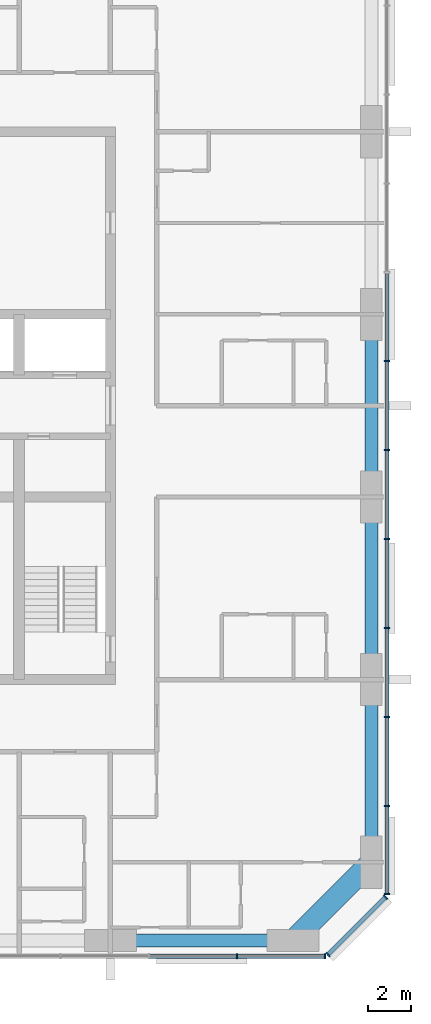
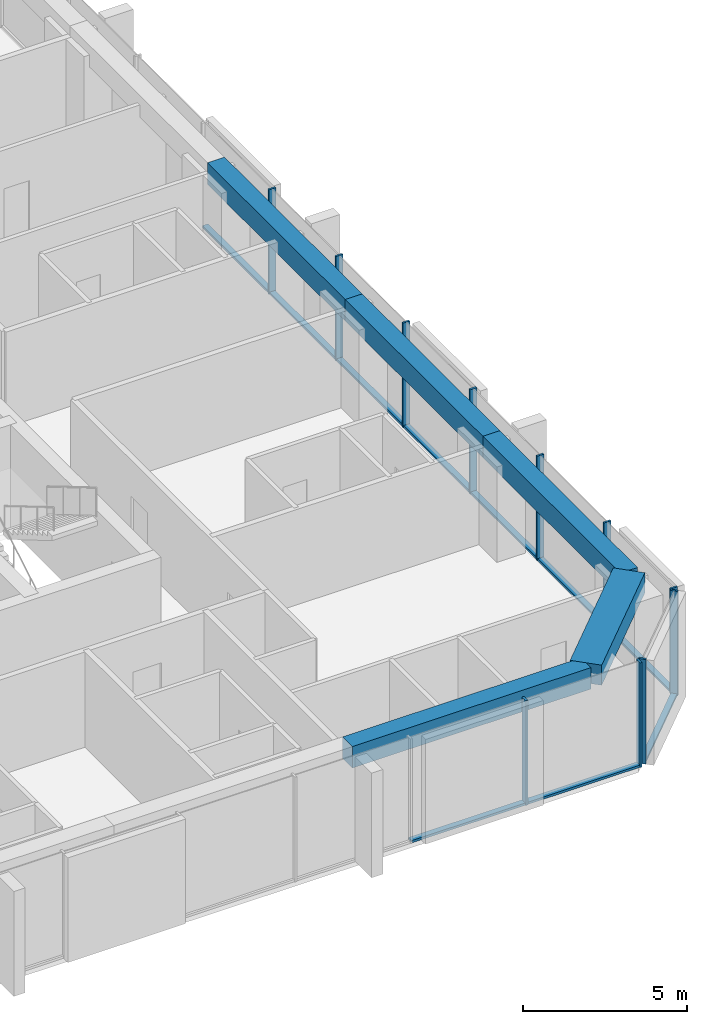
# One storey, part 3 of 12: 21 members, 5 beams, 3 elements without a shape of their own.
"""IFC4 building model written with IfcOpenShell, lengths in metres."""

from ifc_helpers import new_model, si_unit, direction, frame, origin, origin_2d, place, context, subcontext, project, spatial, rectangle, extrude, material, material_profile, profile_set, type_object, element, aggregate, save


model = new_model("IFC4")

# Units and contexts
model_context = context("Model", 3, precision=1e-05, world=origin(), true_north=direction((0.0, 1.0)))
body_context = subcontext(model_context, "Body", "Model", "MODEL_VIEW")
ifc_project = project(units=[si_unit("LENGTHUNIT", "METRE"), si_unit("AREAUNIT", "SQUARE_METRE"), si_unit("VOLUMEUNIT", "CUBIC_METRE"), si_unit("PLANEANGLEUNIT", "RADIAN"), si_unit("MASSUNIT", "GRAM", prefix="KILO")], contexts=[model_context])

# Site, building, storey
site_placement = place(None, origin())
site = spatial("IfcSite", under=ifc_project, at=site_placement, CompositionType="ELEMENT")
building_placement = place(site_placement, origin())
building = spatial("IfcBuilding", under=site, at=building_placement, Name="Dunama Terrace Hotel", CompositionType="ELEMENT")
storey_placement = place(building_placement, frame((0.0, 0.0, 241.199951171875)))
storey = spatial("IfcBuildingStorey", under=building, at=storey_placement, Name="L62", CompositionType="ELEMENT", Elevation=241.199951171875)

# Curtain wall, members
ifc_material_1 = material(Name="Aluminium curtain wall system", Category="aluminium")
curtain_wall_type = type_object("IfcCurtainWallType", Name="Unitised fritted glass wall CW-D", PredefinedType="NOTDEFINED", material=ifc_material_1)
curtain_wall_1_placement = place(storey_placement, origin())
curtain_wall_1 = element("IfcCurtainWall", 1, at=curtain_wall_1_placement, inside=storey, type_object=curtain_wall_type, Name="Unitised fritted glass wall CW-D L62", PredefinedType="NOTDEFINED")
ifc_material_2 = material(Name="Aluminium mullion", Category="aluminium")
ifc_material_profile_1 = material_profile(ifc_material_2, rectangle(XDim=0.070068359375, YDim=0.239990234375, at=origin_2d()), Name="CWD MULLION 70X240")
ifc_profile_set_1 = profile_set([ifc_material_profile_1], Name="Aluminium mullion")
member_type_1 = type_object("IfcMemberType", Name="CWD mullion 70x240", PredefinedType="MULLION", material=ifc_profile_set_1)
member_1_placement = place(storey_placement, frame((47.8330078125, 4.080078125, 0.0), z_axis=(0.0, 0.0, 1.0), x_axis=(1.0, 0.0, 0.0)))
member_1 = element("IfcMember", 2, at=member_1_placement, type_object=member_type_1, Name="CWD mullion", PredefinedType="MULLION", context=body_context, shape_type="SweptSolid", body=[
    extrude(rectangle(XDim=0.070068359375, YDim=0.239990234375, at=origin_2d()), origin(), (0.0, 0.0, 1.0), 3.900146484375),
])
member_2_placement = place(storey_placement, frame((51.864990234375, 4.080078125, 0.0), z_axis=(0.0, 0.0, 1.0), x_axis=(1.0, 0.0, 0.0)))
member_2 = element("IfcMember", 3, at=member_2_placement, type_object=member_type_1, Name="CWD mullion", PredefinedType="MULLION", context=body_context, shape_type="SweptSolid", body=[
    extrude(rectangle(XDim=0.070068359375, YDim=0.239990234375, at=origin_2d()), origin(), (0.0, 0.0, 1.0), 3.900146484375),
])

curtain_wall_2_placement = place(storey_placement, origin())
curtain_wall_2 = element("IfcCurtainWall", 4, at=curtain_wall_2_placement, inside=storey, type_object=curtain_wall_type, Name="Unitised fritted glass wall CW-D L62", PredefinedType="NOTDEFINED")
member_3_placement = place(storey_placement, frame((52.010009765625, 4.139892578125, 0.0), z_axis=(0.0, 0.0, 1.0), x_axis=(0.707106781187, 0.707106781187, 0.0)))
member_3 = element("IfcMember", 5, at=member_3_placement, type_object=member_type_1, Name="CWD mullion", PredefinedType="MULLION", context=body_context, shape_type="SweptSolid", body=[
    extrude(rectangle(XDim=0.070068359375, YDim=0.239990234375, at=origin_2d()), origin(), (0.0, 0.0, 1.0), 3.900146484375),
])
member_4_placement = place(storey_placement, frame((54.659912109375, 6.7900390625, 0.0), z_axis=(0.0, 0.0, 1.0), x_axis=(0.707106781187, 0.707106781187, 0.0)))
member_4 = element("IfcMember", 6, at=member_4_placement, type_object=member_type_1, Name="CWD mullion", PredefinedType="MULLION", context=body_context, shape_type="SweptSolid", body=[
    extrude(rectangle(XDim=0.070068359375, YDim=0.239990234375, at=origin_2d()), origin(), (0.0, 0.0, 1.0), 3.900146484375),
])

curtain_wall_3_placement = place(storey_placement, origin())
curtain_wall_3 = element("IfcCurtainWall", 7, at=curtain_wall_3_placement, inside=storey, type_object=curtain_wall_type, Name="Unitised fritted glass wall CW-D L62", PredefinedType="NOTDEFINED")
member_5_placement = place(storey_placement, frame((54.719970703125, 6.93505859375, 0.0), z_axis=(0.0, 0.0, 1.0), x_axis=(0.0, 1.0, 0.0)))
member_5 = element("IfcMember", 8, at=member_5_placement, type_object=member_type_1, Name="CWD mullion", PredefinedType="MULLION", context=body_context, shape_type="SweptSolid", body=[
    extrude(rectangle(XDim=0.070068359375, YDim=0.239990234375, at=origin_2d()), origin(), (0.0, 0.0, 1.0), 3.900146484375),
])
member_6_placement = place(storey_placement, frame((54.719970703125, 10.990966796875, 0.0), z_axis=(0.0, 0.0, 1.0), x_axis=(0.0, 1.0, 0.0)))
member_6 = element("IfcMember", 9, at=member_6_placement, type_object=member_type_1, Name="CWD mullion", PredefinedType="MULLION", context=body_context, shape_type="SweptSolid", body=[
    extrude(rectangle(XDim=0.070068359375, YDim=0.239990234375, at=origin_2d()), origin(), (0.0, 0.0, 1.0), 3.900146484375),
])
member_7_placement = place(storey_placement, frame((54.719970703125, 15.08203125, 0.0), z_axis=(0.0, 0.0, 1.0), x_axis=(0.0, 1.0, 0.0)))
member_7 = element("IfcMember", 10, at=member_7_placement, type_object=member_type_1, Name="CWD mullion", PredefinedType="MULLION", context=body_context, shape_type="SweptSolid", body=[
    extrude(rectangle(XDim=0.070068359375, YDim=0.239990234375, at=origin_2d()), origin(), (0.0, 0.0, 1.0), 3.900146484375),
])
member_8_placement = place(storey_placement, frame((54.719970703125, 19.173095703125, 0.0), z_axis=(0.0, 0.0, 1.0), x_axis=(0.0, 1.0, 0.0)))
member_8 = element("IfcMember", 11, at=member_8_placement, type_object=member_type_1, Name="CWD mullion", PredefinedType="MULLION", context=body_context, shape_type="SweptSolid", body=[
    extrude(rectangle(XDim=0.070068359375, YDim=0.239990234375, at=origin_2d()), origin(), (0.0, 0.0, 1.0), 3.900146484375),
])
member_9_placement = place(storey_placement, frame((54.719970703125, 23.263916015625, 0.0), z_axis=(0.0, 0.0, 1.0), x_axis=(0.0, 1.0, 0.0)))
member_9 = element("IfcMember", 12, at=member_9_placement, type_object=member_type_1, Name="CWD mullion", PredefinedType="MULLION", context=body_context, shape_type="SweptSolid", body=[
    extrude(rectangle(XDim=0.070068359375, YDim=0.239990234375, at=origin_2d()), origin(), (0.0, 0.0, 1.0), 3.900146484375),
])
member_10_placement = place(storey_placement, frame((54.719970703125, 27.35498046875, 0.0), z_axis=(0.0, 0.0, 1.0), x_axis=(0.0, 1.0, 0.0)))
member_10 = element("IfcMember", 13, at=member_10_placement, type_object=member_type_1, Name="CWD mullion", PredefinedType="MULLION", context=body_context, shape_type="SweptSolid", body=[
    extrude(rectangle(XDim=0.070068359375, YDim=0.239990234375, at=origin_2d()), origin(), (0.0, 0.0, 1.0), 3.900146484375),
])
member_11_placement = place(storey_placement, frame((54.719970703125, 31.445068359375, 0.0), z_axis=(0.0, 0.0, 1.0), x_axis=(0.0, 1.0, 0.0)))
member_11 = element("IfcMember", 14, at=member_11_placement, type_object=member_type_1, Name="CWD mullion", PredefinedType="MULLION", context=body_context, shape_type="SweptSolid", body=[
    extrude(rectangle(XDim=0.070068359375, YDim=0.239990234375, at=origin_2d()), origin(), (0.0, 0.0, 1.0), 3.900146484375),
])

# Member
ifc_material_3 = material(Name="Aluminium transom", Category="aluminium")
ifc_material_profile_2 = material_profile(ifc_material_3, rectangle(XDim=0.199951171875, YDim=0.0849609375, at=origin_2d()), Name="CWD TRANSOM 200X85")
ifc_profile_set_2 = profile_set([ifc_material_profile_2], Name="Aluminium transom")
member_type_2 = type_object("IfcMemberType", Name="CWD transom 200x85", PredefinedType="USERDEFINED", material=ifc_profile_set_2)
member_12_placement = place(storey_placement, frame((43.802001953125, 4.080078125, 0.04248046875), z_axis=(1.0, 0.0, 0.0), x_axis=(0.0, 1.0, 0.0)))
member_12 = element("IfcMember", 15, at=member_12_placement, type_object=member_type_2, Name="CWD transom", ObjectType="TRANSOM", PredefinedType="USERDEFINED", context=body_context, shape_type="SweptSolid", body=[
    extrude(rectangle(XDim=0.199951171875, YDim=0.0849609375, at=origin_2d()), origin(), (0.0, 0.0, 1.0), 3.99609375),
])

member_13_placement = place(storey_placement, frame((47.867919921875, 4.080078125, 0.04248046875), z_axis=(1.0, 0.0, 0.0), x_axis=(0.0, 1.0, 0.0)))
member_13 = element("IfcMember", 16, at=member_13_placement, type_object=member_type_2, Name="CWD transom", ObjectType="TRANSOM", PredefinedType="USERDEFINED", context=body_context, shape_type="SweptSolid", body=[
    extrude(rectangle(XDim=0.199951171875, YDim=0.0849609375, at=origin_2d()), origin(), (0.0, 0.0, 1.0), 3.962158203125),
])

aggregate(curtain_wall_1, [member_1, member_2, member_12, member_13])

member_14_placement = place(storey_placement, frame((52.033935546875, 4.1650390625, 0.04248046875), z_axis=(0.707106781187, 0.707106781187, 0.0), x_axis=(-0.707106781187, 0.707106781187, 0.0)))
member_14 = element("IfcMember", 17, at=member_14_placement, type_object=member_type_2, Name="CWD transom", ObjectType="TRANSOM", PredefinedType="USERDEFINED", context=body_context, shape_type="SweptSolid", body=[
    extrude(rectangle(XDim=0.199951171875, YDim=0.0849609375, at=origin_2d()), origin(), (0.0, 0.0, 1.0), 3.678466796875),
])

aggregate(curtain_wall_2, [member_3, member_4, member_14])

member_15_placement = place(storey_placement, frame((54.719970703125, 6.969970703125, 0.04248046875), z_axis=(0.0, 1.0, 0.0), x_axis=(-1.0, 0.0, 0.0)))
member_15 = element("IfcMember", 18, at=member_15_placement, type_object=member_type_2, Name="CWD transom", ObjectType="TRANSOM", PredefinedType="USERDEFINED", context=body_context, shape_type="SweptSolid", body=[
    extrude(rectangle(XDim=0.199951171875, YDim=0.0849609375, at=origin_2d()), origin(), (0.0, 0.0, 1.0), 3.986083984375),
])

member_16_placement = place(storey_placement, frame((54.719970703125, 11.02587890625, 0.04248046875), z_axis=(0.0, 1.0, 0.0), x_axis=(-1.0, 0.0, 0.0)))
member_16 = element("IfcMember", 19, at=member_16_placement, type_object=member_type_2, Name="CWD transom", ObjectType="TRANSOM", PredefinedType="USERDEFINED", context=body_context, shape_type="SweptSolid", body=[
    extrude(rectangle(XDim=0.199951171875, YDim=0.0849609375, at=origin_2d()), origin(), (0.0, 0.0, 1.0), 4.021240234375),
])

member_17_placement = place(storey_placement, frame((54.719970703125, 15.116943359375, 0.04248046875), z_axis=(0.0, 1.0, 0.0), x_axis=(-1.0, 0.0, 0.0)))
member_17 = element("IfcMember", 20, at=member_17_placement, type_object=member_type_2, Name="CWD transom", ObjectType="TRANSOM", PredefinedType="USERDEFINED", context=body_context, shape_type="SweptSolid", body=[
    extrude(rectangle(XDim=0.199951171875, YDim=0.0849609375, at=origin_2d()), origin(), (0.0, 0.0, 1.0), 4.02099609375),
])

member_18_placement = place(storey_placement, frame((54.719970703125, 19.2080078125, 0.04248046875), z_axis=(0.0, 1.0, 0.0), x_axis=(-1.0, 0.0, 0.0)))
member_18 = element("IfcMember", 21, at=member_18_placement, type_object=member_type_2, Name="CWD transom", ObjectType="TRANSOM", PredefinedType="USERDEFINED", context=body_context, shape_type="SweptSolid", body=[
    extrude(rectangle(XDim=0.199951171875, YDim=0.0849609375, at=origin_2d()), origin(), (0.0, 0.0, 1.0), 4.02099609375),
])

member_19_placement = place(storey_placement, frame((54.719970703125, 23.299072265625, 0.04248046875), z_axis=(0.0, 1.0, 0.0), x_axis=(-1.0, 0.0, 0.0)))
member_19 = element("IfcMember", 22, at=member_19_placement, type_object=member_type_2, Name="CWD transom", ObjectType="TRANSOM", PredefinedType="USERDEFINED", context=body_context, shape_type="SweptSolid", body=[
    extrude(rectangle(XDim=0.199951171875, YDim=0.0849609375, at=origin_2d()), origin(), (0.0, 0.0, 1.0), 4.02099609375),
])

member_20_placement = place(storey_placement, frame((54.719970703125, 27.389892578125, 0.04248046875), z_axis=(0.0, 1.0, 0.0), x_axis=(-1.0, 0.0, 0.0)))
member_20 = element("IfcMember", 23, at=member_20_placement, type_object=member_type_2, Name="CWD transom", ObjectType="TRANSOM", PredefinedType="USERDEFINED", context=body_context, shape_type="SweptSolid", body=[
    extrude(rectangle(XDim=0.199951171875, YDim=0.0849609375, at=origin_2d()), origin(), (0.0, 0.0, 1.0), 4.02001953125),
])

member_21_placement = place(storey_placement, frame((54.719970703125, 31.47998046875, 0.04248046875), z_axis=(0.0, 1.0, 0.0), x_axis=(-1.0, 0.0, 0.0)))
member_21 = element("IfcMember", 24, at=member_21_placement, type_object=member_type_2, Name="CWD transom", ObjectType="TRANSOM", PredefinedType="USERDEFINED", context=body_context, shape_type="SweptSolid", body=[
    extrude(rectangle(XDim=0.199951171875, YDim=0.0849609375, at=origin_2d()), origin(), (0.0, 0.0, 1.0), 4.02099609375),
])

aggregate(curtain_wall_3, [member_5, member_6, member_7, member_8, member_9, member_10, member_11, member_15, member_16, member_17, member_18, member_19, member_20, member_21])

# Beams
ifc_material_4 = material(Name="Concrete C50/60", Category="concrete")
ifc_material_profile_3 = material_profile(ifc_material_4, rectangle(XDim=1.0, YDim=0.75, at=origin_2d()), Name="RC 1000x750")
ifc_profile_set_3 = profile_set([ifc_material_profile_3], Name="Concrete C50/60")
beam_type_1 = type_object("IfcBeamType", Name="Edge beam RC 1000x750", PredefinedType="SPANDREL", material=ifc_profile_set_3)
beam_1_placement = place(storey_placement, frame((50.39990234375, 4.800048828125, 3.525146484375), z_axis=(0.707130757816, 0.707082803744, 0.0), x_axis=(-0.707082803744, 0.707130757816, 0.0)))
element("IfcBeam", 25, at=beam_1_placement, inside=storey, type_object=beam_type_1, Name="Corner edge beam under L63", PredefinedType="SPANDREL", context=body_context, shape_type="SweptSolid", body=[
    extrude(rectangle(XDim=1.0, YDim=0.75, at=origin_2d()), origin(), (0.0, 0.0, 1.0), 5.091064453125),
])
ifc_material_5 = material(Name="Concrete C40/50", Category="concrete")
ifc_material_profile_4 = material_profile(ifc_material_5, rectangle(XDim=0.60009765625, YDim=0.800048828125, at=origin_2d()), Name="RC 600x800")
ifc_profile_set_4 = profile_set([ifc_material_profile_4], Name="Concrete C40/50")
beam_type_2 = type_object("IfcBeamType", Name="Edge beam RC 600x800", PredefinedType="SPANDREL", material=ifc_profile_set_4)
beam_2_placement = place(storey_placement, frame((54.0, 8.39990234375, 3.5), z_axis=(0.0, 1.0, 0.0), x_axis=(-1.0, 0.0, 0.0)))
element("IfcBeam", 26, at=beam_2_placement, inside=storey, type_object=beam_type_2, Name="Edge beam under L63", PredefinedType="SPANDREL", context=body_context, shape_type="SweptSolid", body=[
    extrude(rectangle(XDim=0.60009765625, YDim=0.800048828125, at=origin_2d()), origin(), (0.0, 0.0, 1.0), 8.400146484375),
])
beam_3_placement = place(storey_placement, frame((54.0, 16.800048828125, 3.5), z_axis=(0.0, 1.0, 0.0), x_axis=(-1.0, 0.0, 0.0)))
element("IfcBeam", 27, at=beam_3_placement, inside=storey, type_object=beam_type_2, Name="Edge beam under L63", PredefinedType="SPANDREL", context=body_context, shape_type="SweptSolid", body=[
    extrude(rectangle(XDim=0.60009765625, YDim=0.800048828125, at=origin_2d()), origin(), (0.0, 0.0, 1.0), 8.39990234375),
])
beam_4_placement = place(storey_placement, frame((54.0, 25.199951171875, 3.5), z_axis=(0.0, 1.0, 0.0), x_axis=(-1.0, 0.0, 0.0)))
element("IfcBeam", 28, at=beam_4_placement, inside=storey, type_object=beam_type_2, Name="Edge beam under L63", PredefinedType="SPANDREL", context=body_context, shape_type="SweptSolid", body=[
    extrude(rectangle(XDim=0.60009765625, YDim=0.800048828125, at=origin_2d()), origin(), (0.0, 0.0, 1.0), 8.400146484375),
])
beam_5_placement = place(storey_placement, frame((42.0, 4.800048828125, 3.5), z_axis=(1.0, 0.0, 0.0), x_axis=(0.0, 1.0, 0.0)))
element("IfcBeam", 29, at=beam_5_placement, inside=storey, type_object=beam_type_2, Name="Edge beam under L63", PredefinedType="SPANDREL", context=body_context, shape_type="SweptSolid", body=[
    extrude(rectangle(XDim=0.60009765625, YDim=0.800048828125, at=origin_2d()), origin(), (0.0, 0.0, 1.0), 8.39990234375),
])

save(model, "model.ifc")
